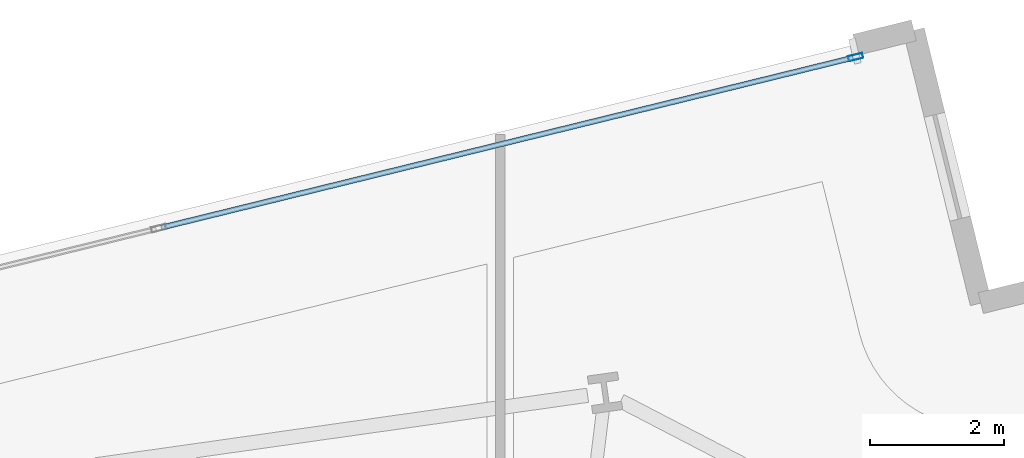
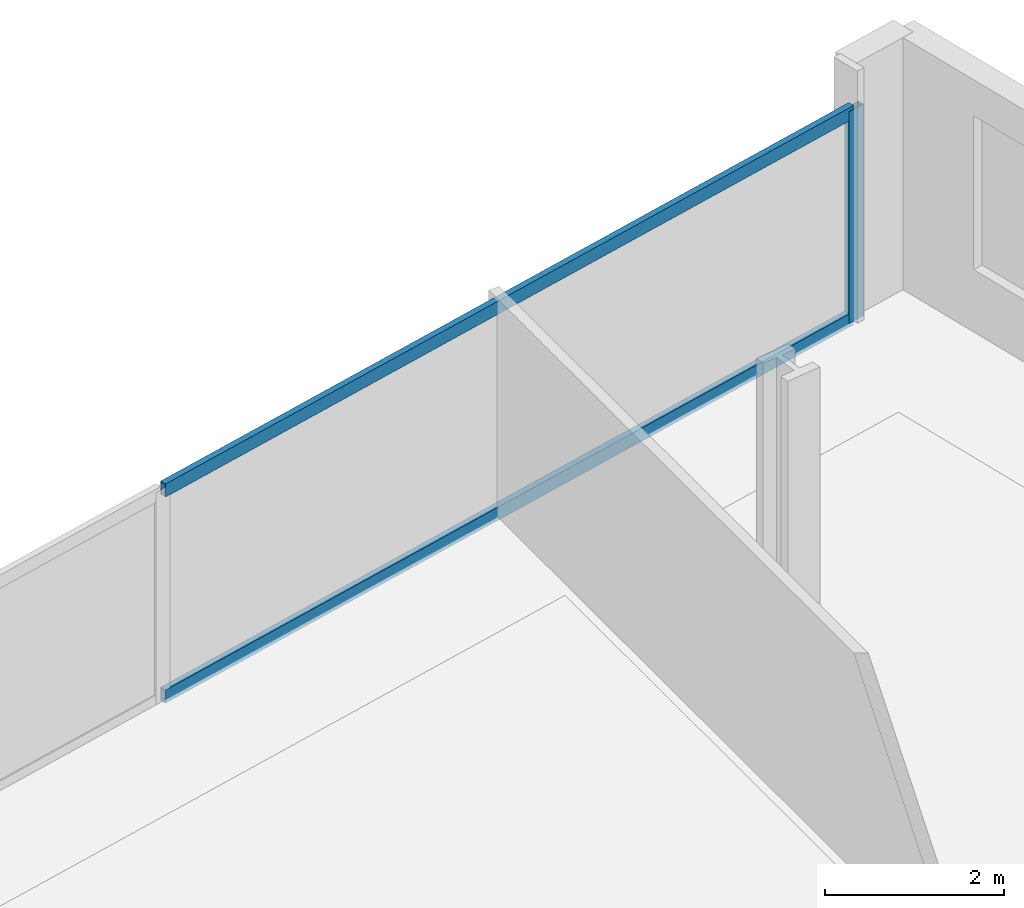
# One storey, part 21 of 32: 3 members, 1 element without a shape of its own.
"""IFC4 building model written with IfcOpenShell, lengths in metres."""

from ifc_helpers import new_model, si_unit, direction, frame, origin, origin_2d, place, context, subcontext, project, spatial, hollow_rectangle, extrude, material, material_profile, profile_set, type_object, element, aggregate, save


model = new_model("IFC4")

# Units and contexts
model_context = context("Model", 3, precision=1e-05, world=origin(), true_north=direction((0.0, 1.0)))
body_context = subcontext(model_context, "Body", "Model", "MODEL_VIEW")
ifc_project = project(units=[si_unit("LENGTHUNIT", "METRE"), si_unit("AREAUNIT", "SQUARE_METRE"), si_unit("VOLUMEUNIT", "CUBIC_METRE"), si_unit("PLANEANGLEUNIT", "RADIAN"), si_unit("MASSUNIT", "GRAM", prefix="KILO")], contexts=[model_context])

# Site, building, storey
site_placement = place(None, origin())
site = spatial("IfcSite", under=ifc_project, at=site_placement, CompositionType="ELEMENT")
building_placement = place(site_placement, origin())
building = spatial("IfcBuilding", under=site, at=building_placement, Name="Haldenkirk Collegiate Tower", CompositionType="ELEMENT")
storey_placement = place(building_placement, frame((0.0, 0.0, 73.949951171875)))
storey = spatial("IfcBuildingStorey", under=building, at=storey_placement, Name="L17", CompositionType="ELEMENT", Elevation=73.949951171875)

# Curtain wall, members
ifc_material = material(Name="Anodised architectural bronze aluminium", Category="aluminium")
curtain_wall_type = type_object("IfcCurtainWallType", Name="CW-SYS1-CONVEX-LOW", PredefinedType="USERDEFINED", material=ifc_material)
curtain_wall_placement = place(storey_placement, origin())
curtain_wall = element("IfcCurtainWall", 1, at=curtain_wall_placement, inside=storey, type_object=curtain_wall_type, Name="L17 Lower tower convex bronze-framed unitised curtain wall", ObjectType="UNITISED CURTAIN WALL", PredefinedType="USERDEFINED")
ifc_material_profile_1 = material_profile(ifc_material, hollow_rectangle(XDim=0.080078125, YDim=0.219970703125, WallThickness=0.0048828125, at=origin_2d()), Name="CW-MUL-1A")
ifc_profile_set_1 = profile_set([ifc_material_profile_1], Name="Anodised architectural bronze aluminium")
member_type_1 = type_object("IfcMemberType", Name="CW-MUL-1A", PredefinedType="MULLION", material=ifc_profile_set_1)
member_1_placement = place(storey_placement, frame((50.813720703125, 55.86572265625, 0.0), z_axis=(0.0, 0.0, 1.0), x_axis=(-0.238533564784, 0.971134253577, 0.0)))
member_1 = element("IfcMember", 2, at=member_1_placement, type_object=member_type_1, Name="CW-1A mullion 5", PredefinedType="MULLION", context=body_context, shape_type="SweptSolid", body=[
    extrude(hollow_rectangle(XDim=0.080078125, YDim=0.219970703125, WallThickness=0.0048828125, at=origin_2d()), origin(), (0.0, 0.0, 1.0), 2.89111328125),
])
ifc_material_profile_2 = material_profile(ifc_material, hollow_rectangle(XDim=0.080078125, YDim=0.179931640625, WallThickness=0.0048828125, at=origin_2d()), Name="CW-TRN-1A")
ifc_profile_set_2 = profile_set([ifc_material_profile_2], Name="Anodised architectural bronze aluminium")
member_type_2 = type_object("IfcMemberType", Name="CW-TRN-1A", PredefinedType="USERDEFINED", material=ifc_profile_set_2)
member_2_placement = place(storey_placement, frame((40.427490234375, 53.314453125, 0.0400390625), z_axis=(0.971130369409, 0.23854937772, 0.0), x_axis=(-0.23854937772, 0.971130369409, 0.0)))
member_2 = element("IfcMember", 3, at=member_2_placement, type_object=member_type_2, Name="CW-1A transom 4.1", ObjectType="TRANSOM", PredefinedType="USERDEFINED", context=body_context, shape_type="SweptSolid", body=[
    extrude(hollow_rectangle(XDim=0.080078125, YDim=0.179931640625, WallThickness=0.0048828125, at=origin_2d()), origin(), (0.0, 0.0, 1.0), 10.655029296875),
])
member_3_placement = place(storey_placement, frame((40.427490234375, 53.314453125, 2.85107421875), z_axis=(0.971130369409, 0.23854937772, 0.0), x_axis=(-0.23854937772, 0.971130369409, 0.0)))
member_3 = element("IfcMember", 4, at=member_3_placement, type_object=member_type_2, Name="CW-1A transom 4.2", ObjectType="TRANSOM", PredefinedType="USERDEFINED", context=body_context, shape_type="SweptSolid", body=[
    extrude(hollow_rectangle(XDim=0.080078125, YDim=0.179931640625, WallThickness=0.0048828125, at=origin_2d()), origin(), (0.0, 0.0, 1.0), 10.655029296875),
])
aggregate(curtain_wall, [member_1, member_2, member_3])

save(model, "model.ifc")
